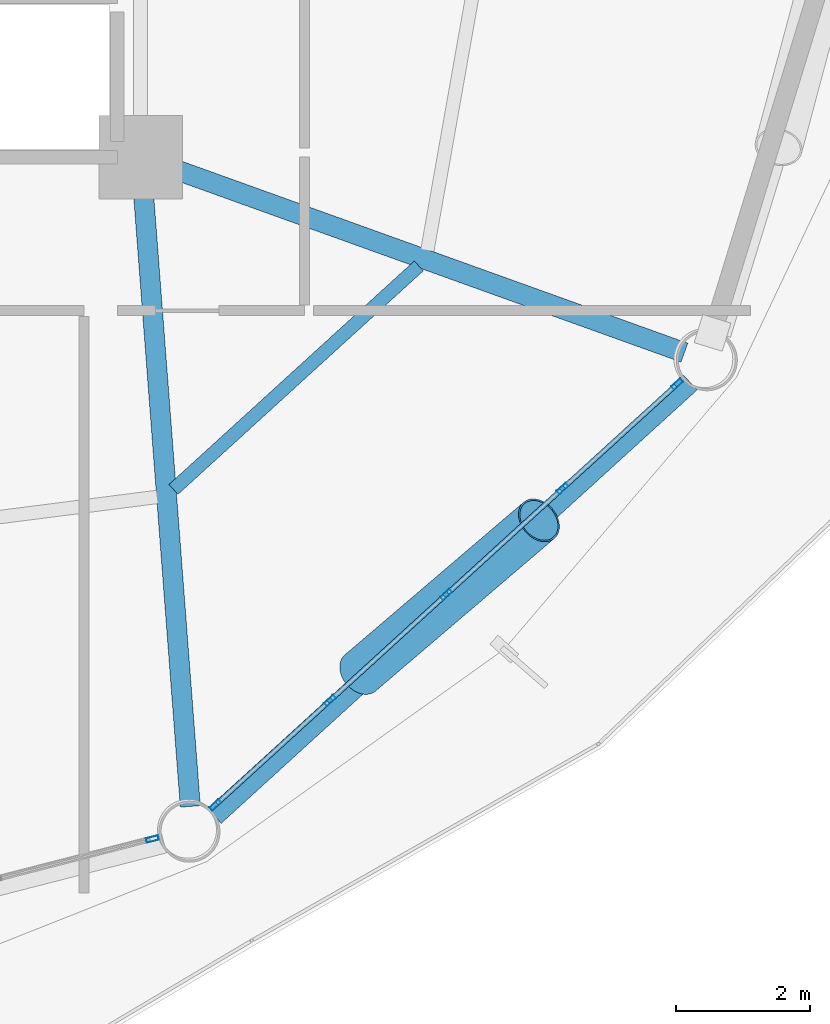
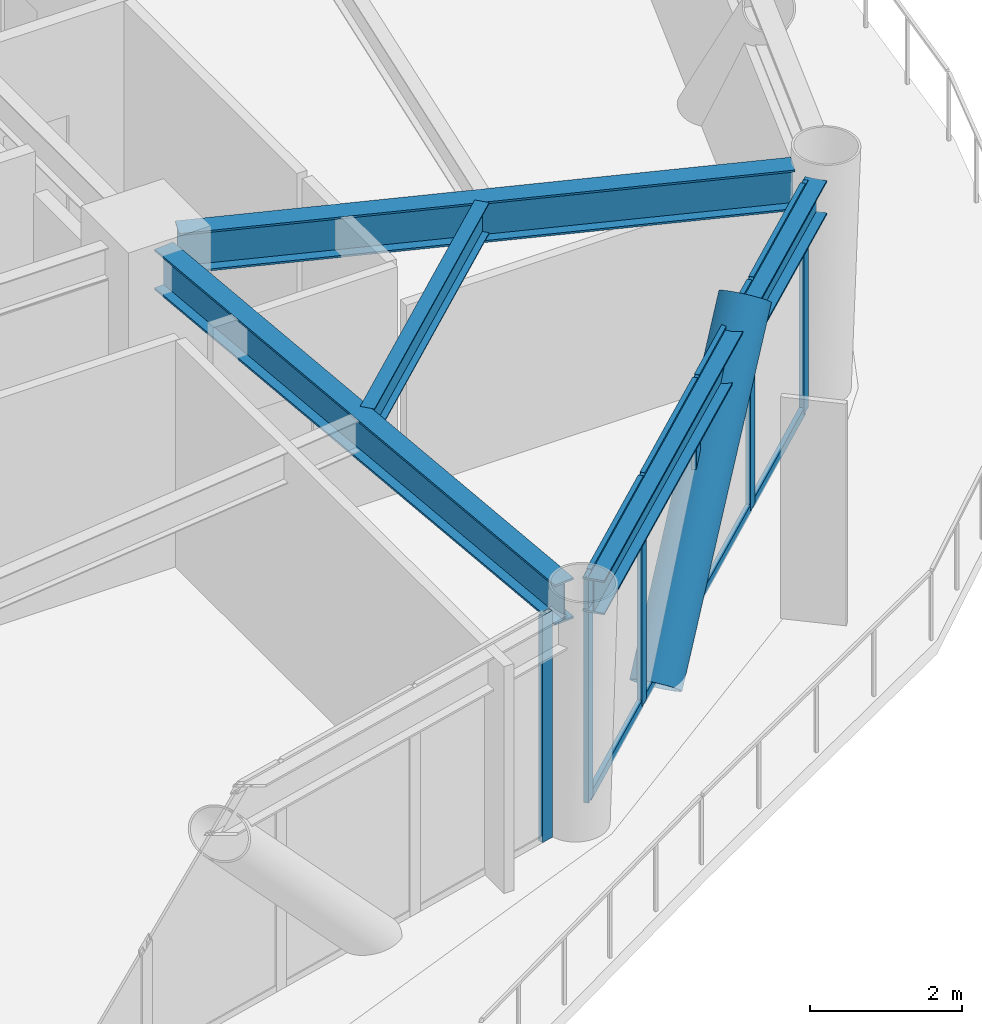
# One storey, part 12 of 25: 15 members, 4 beams, 2 elements without a shape of their own.
"""IFC4 building model written with IfcOpenShell, lengths in metres."""

from ifc_helpers import new_model, si_unit, direction, frame, origin, origin_2d, place, context, subcontext, project, spatial, hollow_rectangle, hollow_circle, i_section, extrude, material, layer, layer_set, material_profile, profile_set, type_object, element, aggregate, save


model = new_model("IFC4")

# Units and contexts
model_context = context("Model", 3, precision=1e-05, world=origin(), true_north=direction((0.0, 1.0)))
body_context = subcontext(model_context, "Body", "Model", "MODEL_VIEW")
ifc_project = project(units=[si_unit("LENGTHUNIT", "METRE"), si_unit("AREAUNIT", "SQUARE_METRE"), si_unit("VOLUMEUNIT", "CUBIC_METRE"), si_unit("PLANEANGLEUNIT", "RADIAN"), si_unit("MASSUNIT", "GRAM", prefix="KILO")], contexts=[model_context])

# Site, building, storey
site_placement = place(None, origin())
site = spatial("IfcSite", under=ifc_project, at=site_placement, CompositionType="ELEMENT")
building_placement = place(site_placement, origin())
building = spatial("IfcBuilding", under=site, at=building_placement, Name="Varnakorn Sky Granary", CompositionType="ELEMENT")
storey_placement = place(building_placement, frame((0.0, 0.0, 54.89990234375)))
storey = spatial("IfcBuildingStorey", under=building, at=storey_placement, Name="L13", CompositionType="ELEMENT", Elevation=54.89990234375)

# Beams
ifc_material_1 = material(Name="Steel S355JR", Category="steel")
ifc_material_profile_1 = material_profile(ifc_material_1, i_section(OverallWidth=0.300048828125, OverallDepth=0.64990234375, WebThickness=0.01611328125, FlangeThickness=0.031005859375, at=origin_2d()), Name="HE 650 B")
ifc_profile_set_1 = profile_set([ifc_material_profile_1], Name="Steel S355JR")
beam_type_1 = type_object("IfcBeamType", Name="BM-RAD-Z1", PredefinedType="BEAM", material=ifc_profile_set_1)
beam_1_placement = place(storey_placement, frame((8.382080078125, -7.018798828125, 3.315185546875), z_axis=(0.076176199168, -0.997094372003, 0.0), x_axis=(0.997094372003, 0.076176199168, 0.0)))
element("IfcBeam", 1, at=beam_1_placement, inside=storey, type_object=beam_type_1, Name="Radial Floor Girder RG11 L13", PredefinedType="BEAM", context=body_context, shape_type="SweptSolid", body=[
    extrude(i_section(OverallWidth=0.300048828125, OverallDepth=0.64990234375, WebThickness=0.01611328125, FlangeThickness=0.031005859375, at=origin_2d()), origin(), (0.0, 0.0, 1.0), 9.32958984375),
])
beam_2_placement = place(storey_placement, frame((8.7451171875, -6.7421875, 3.315185546875), z_axis=(0.940981155726, -0.338458955515, 0.0), x_axis=(0.338458955515, 0.940981155726, 0.0)))
element("IfcBeam", 2, at=beam_2_placement, inside=storey, type_object=beam_type_1, Name="Radial Floor Girder RG12 L13", PredefinedType="BEAM", context=body_context, shape_type="SweptSolid", body=[
    extrude(i_section(OverallWidth=0.300048828125, OverallDepth=0.64990234375, WebThickness=0.01611328125, FlangeThickness=0.031005859375, at=origin_2d()), origin(), (0.0, 0.0, 1.0), 8.23046875),
])
ifc_material_profile_2 = material_profile(ifc_material_1, i_section(OverallWidth=0.199951171875, OverallDepth=0.5, WebThickness=0.01025390625, FlangeThickness=0.01611328125, at=origin_2d()), Name="IPE 500")
ifc_profile_set_2 = profile_set([ifc_material_profile_2], Name="Steel S355JR")
beam_type_2 = type_object("IfcBeamType", Name="BM-SEC-Z1", PredefinedType="BEAM", material=ifc_profile_set_2)
beam_3_placement = place(storey_placement, frame((8.8408203125, -11.57568359375, 3.39013671875), z_axis=(0.739212644164, 0.673472097943, 0.0), x_axis=(-0.673472097943, 0.739212644164, 0.0)))
element("IfcBeam", 3, at=beam_3_placement, inside=storey, type_object=beam_type_2, Name="Secondary Floor Chord Beam MSB11 L13", PredefinedType="BEAM", context=body_context, shape_type="SweptSolid", body=[
    extrude(i_section(OverallWidth=0.199951171875, OverallDepth=0.5, WebThickness=0.01025390625, FlangeThickness=0.01611328125, at=origin_2d()), origin(), (0.0, 0.0, 1.0), 4.968994140625),
])
ifc_material_profile_3 = material_profile(ifc_material_1, i_section(OverallWidth=0.300048828125, OverallDepth=0.550048828125, WebThickness=0.014892578125, FlangeThickness=0.029052734375, at=origin_2d()), Name="HE 550 B")
ifc_profile_set_3 = profile_set([ifc_material_profile_3], Name="Steel S355JR")
beam_type_3 = type_object("IfcBeamType", Name="BM-SPD-Z1", PredefinedType="SPANDREL", material=ifc_profile_set_3)
beam_4_placement = place(storey_placement, frame((9.453369140625, -16.46435546875, 3.364990234375), z_axis=(0.739343732642, 0.673328185213, 0.0), x_axis=(-0.673328185213, 0.739343732642, 0.0)))
element("IfcBeam", 4, at=beam_4_placement, inside=storey, type_object=beam_type_3, Name="Perimeter Spandrel Ring Beam RB11 L13", PredefinedType="SPANDREL", context=body_context, shape_type="SweptSolid", body=[
    extrude(i_section(OverallWidth=0.300048828125, OverallDepth=0.550048828125, WebThickness=0.014892578125, FlangeThickness=0.029052734375, at=origin_2d()), origin(), (0.0, 0.0, 1.0), 9.6376953125),
])

# Curtain wall, member
ifc_material_2 = material(Name="Anodised Bronze Aluminium Alloy 6063-T6", Category="aluminium")
ifc_layer = layer(ifc_material_2, 0.18994140625, Name="Anodised Bronze Aluminium Alloy 6063-T6")
ifc_layer_set = layer_set([ifc_layer], Name="Anodised Bronze Aluminium Alloy 6063-T6")
curtain_wall_type = type_object("IfcCurtainWallType", Name="CW-FRM-1", PredefinedType="USERDEFINED", material=ifc_layer_set)
curtain_wall_1_placement = place(storey_placement, origin())
curtain_wall_1 = element("IfcCurtainWall", 5, at=curtain_wall_1_placement, inside=storey, type_object=curtain_wall_type, Name="Unitised Curtain Wall CW3 CW-L13-B10", ObjectType="CURTAIN WALL", PredefinedType="USERDEFINED")
ifc_material_profile_4 = material_profile(ifc_material_2, hollow_rectangle(XDim=0.070068359375, YDim=0.18505859375, WallThickness=0.00390625, at=origin_2d()), Name="ALU MULL 70x185")
ifc_profile_set_4 = profile_set([ifc_material_profile_4], Name="Anodised Bronze Aluminium Alloy 6063-T6")
member_type_1 = type_object("IfcMemberType", Name="CW-FRM-1-MULL", PredefinedType="MULLION", material=ifc_profile_set_4)
member_1_placement = place(storey_placement, frame((8.52490234375, -16.81005859375, 0.0), z_axis=(0.0, 0.0, 1.0), x_axis=(0.248955770225, -0.96851485506, 0.0)))
member_1 = element("IfcMember", 6, at=member_1_placement, type_object=member_type_1, Name="CW3 mullion 1", PredefinedType="MULLION", context=body_context, shape_type="SweptSolid", body=[
    extrude(hollow_rectangle(XDim=0.070068359375, YDim=0.18505859375, WallThickness=0.00390625, at=origin_2d()), origin(), (0.0, 0.0, 1.0), 3.64013671875),
])
aggregate(curtain_wall_1, [member_1])

# Curtain wall, members
curtain_wall_2_placement = place(storey_placement, origin())
curtain_wall_2 = element("IfcCurtainWall", 7, at=curtain_wall_2_placement, inside=storey, type_object=curtain_wall_type, Name="Unitised Curtain Wall CW3 CW-L13-B11", ObjectType="CURTAIN WALL", PredefinedType="USERDEFINED")
member_2_placement = place(storey_placement, frame((16.381591796875, -9.997802734375, 0.0), z_axis=(0.0, 0.0, 1.0), x_axis=(0.673686552194, -0.739017205072, 0.0)))
member_2 = element("IfcMember", 8, at=member_2_placement, type_object=member_type_1, Name="CW3 mullion 1", PredefinedType="MULLION", context=body_context, shape_type="SweptSolid", body=[
    extrude(hollow_rectangle(XDim=0.070068359375, YDim=0.18505859375, WallThickness=0.00390625, at=origin_2d()), origin(), (0.0, 0.0, 1.0), 3.64013671875),
])
member_3_placement = place(storey_placement, frame((14.666015625, -11.561767578125, 0.0), z_axis=(0.0, 0.0, 1.0), x_axis=(0.673686552194, -0.739017205072, 0.0)))
member_3 = element("IfcMember", 9, at=member_3_placement, type_object=member_type_1, Name="CW3 mullion 2", PredefinedType="MULLION", context=body_context, shape_type="SweptSolid", body=[
    extrude(hollow_rectangle(XDim=0.070068359375, YDim=0.18505859375, WallThickness=0.00390625, at=origin_2d()), origin(), (0.0, 0.0, 1.0), 3.64013671875),
])
member_4_placement = place(storey_placement, frame((12.924560546875, -13.1494140625, 0.0), z_axis=(0.0, 0.0, 1.0), x_axis=(0.673686552194, -0.739017205072, 0.0)))
member_4 = element("IfcMember", 10, at=member_4_placement, type_object=member_type_1, Name="CW3 mullion 3", PredefinedType="MULLION", context=body_context, shape_type="SweptSolid", body=[
    extrude(hollow_rectangle(XDim=0.070068359375, YDim=0.18505859375, WallThickness=0.00390625, at=origin_2d()), origin(), (0.0, 0.0, 1.0), 3.64013671875),
])
member_5_placement = place(storey_placement, frame((11.18310546875, -14.73681640625, 0.0), z_axis=(0.0, 0.0, 1.0), x_axis=(0.673686552194, -0.739017205072, 0.0)))
member_5 = element("IfcMember", 11, at=member_5_placement, type_object=member_type_1, Name="CW3 mullion 4", PredefinedType="MULLION", context=body_context, shape_type="SweptSolid", body=[
    extrude(hollow_rectangle(XDim=0.070068359375, YDim=0.18505859375, WallThickness=0.00390625, at=origin_2d()), origin(), (0.0, 0.0, 1.0), 3.64013671875),
])
member_6_placement = place(storey_placement, frame((9.467529296875, -16.30078125, 0.0), z_axis=(0.0, 0.0, 1.0), x_axis=(0.673686552194, -0.739017205072, 0.0)))
member_6 = element("IfcMember", 12, at=member_6_placement, type_object=member_type_1, Name="CW3 mullion 5", PredefinedType="MULLION", context=body_context, shape_type="SweptSolid", body=[
    extrude(hollow_rectangle(XDim=0.070068359375, YDim=0.18505859375, WallThickness=0.00390625, at=origin_2d()), origin(), (0.0, 0.0, 1.0), 3.64013671875),
])
ifc_material_profile_5 = material_profile(ifc_material_2, hollow_rectangle(XDim=0.070068359375, YDim=0.139892578125, WallThickness=0.00341796875, at=origin_2d()), Name="ALU TRAN 70x140")
ifc_profile_set_5 = profile_set([ifc_material_profile_5], Name="Anodised Bronze Aluminium Alloy 6063-T6")
member_type_2 = type_object("IfcMemberType", Name="CW-FRM-1-TRAN", PredefinedType="USERDEFINED", material=ifc_profile_set_5)
member_7_placement = place(storey_placement, frame((16.355712890625, -10.021484375, 0.03515625), z_axis=(-0.738992363836, -0.673713801396, 0.0), x_axis=(0.673713801396, -0.738992363836, 0.0)))
member_7 = element("IfcMember", 13, at=member_7_placement, type_object=member_type_2, Name="CW3 transom 1.1", ObjectType="TRANSOM", PredefinedType="USERDEFINED", context=body_context, shape_type="SweptSolid", body=[
    extrude(hollow_rectangle(XDim=0.070068359375, YDim=0.139892578125, WallThickness=0.00341796875, at=origin_2d()), origin(), (0.0, 0.0, 1.0), 2.25146484375),
])
member_8_placement = place(storey_placement, frame((16.355712890625, -10.021484375, 3.60498046875), z_axis=(-0.738992363836, -0.673713801396, 0.0), x_axis=(0.673713801396, -0.738992363836, 0.0)))
member_8 = element("IfcMember", 14, at=member_8_placement, type_object=member_type_2, Name="CW3 transom 1.2", ObjectType="TRANSOM", PredefinedType="USERDEFINED", context=body_context, shape_type="SweptSolid", body=[
    extrude(hollow_rectangle(XDim=0.070068359375, YDim=0.139892578125, WallThickness=0.00341796875, at=origin_2d()), origin(), (0.0, 0.0, 1.0), 2.25146484375),
])
member_9_placement = place(storey_placement, frame((14.64013671875, -11.58544921875, 0.03515625), z_axis=(-0.739026202882, -0.673676681691, 0.0), x_axis=(0.673676681691, -0.739026202882, 0.0)))
member_9 = element("IfcMember", 15, at=member_9_placement, type_object=member_type_2, Name="CW3 transom 2.1", ObjectType="TRANSOM", PredefinedType="USERDEFINED", context=body_context, shape_type="SweptSolid", body=[
    extrude(hollow_rectangle(XDim=0.070068359375, YDim=0.139892578125, WallThickness=0.00341796875, at=origin_2d()), origin(), (0.0, 0.0, 1.0), 2.286376953125),
])
member_10_placement = place(storey_placement, frame((14.64013671875, -11.58544921875, 3.60498046875), z_axis=(-0.739026202882, -0.673676681691, 0.0), x_axis=(0.673676681691, -0.739026202882, 0.0)))
member_10 = element("IfcMember", 16, at=member_10_placement, type_object=member_type_2, Name="CW3 transom 2.2", ObjectType="TRANSOM", PredefinedType="USERDEFINED", context=body_context, shape_type="SweptSolid", body=[
    extrude(hollow_rectangle(XDim=0.070068359375, YDim=0.139892578125, WallThickness=0.00341796875, at=origin_2d()), origin(), (0.0, 0.0, 1.0), 2.286376953125),
])
member_11_placement = place(storey_placement, frame((12.898681640625, -13.1728515625, 0.03515625), z_axis=(-0.738973042279, -0.673734994478, 0.0), x_axis=(0.673734994478, -0.738973042279, 0.0)))
member_11 = element("IfcMember", 17, at=member_11_placement, type_object=member_type_2, Name="CW3 transom 3.1", ObjectType="TRANSOM", PredefinedType="USERDEFINED", context=body_context, shape_type="SweptSolid", body=[
    extrude(hollow_rectangle(XDim=0.070068359375, YDim=0.139892578125, WallThickness=0.00341796875, at=origin_2d()), origin(), (0.0, 0.0, 1.0), 2.28662109375),
])
member_12_placement = place(storey_placement, frame((12.898681640625, -13.1728515625, 3.60498046875), z_axis=(-0.738973042279, -0.673734994478, 0.0), x_axis=(0.673734994478, -0.738973042279, 0.0)))
member_12 = element("IfcMember", 18, at=member_12_placement, type_object=member_type_2, Name="CW3 transom 3.2", ObjectType="TRANSOM", PredefinedType="USERDEFINED", context=body_context, shape_type="SweptSolid", body=[
    extrude(hollow_rectangle(XDim=0.070068359375, YDim=0.139892578125, WallThickness=0.00341796875, at=origin_2d()), origin(), (0.0, 0.0, 1.0), 2.28662109375),
])
member_13_placement = place(storey_placement, frame((11.1572265625, -14.760498046875, 0.03515625), z_axis=(-0.738992363836, -0.673713801396, 0.0), x_axis=(0.673713801396, -0.738992363836, 0.0)))
member_13 = element("IfcMember", 19, at=member_13_placement, type_object=member_type_2, Name="CW3 transom 4.1", ObjectType="TRANSOM", PredefinedType="USERDEFINED", context=body_context, shape_type="SweptSolid", body=[
    extrude(hollow_rectangle(XDim=0.070068359375, YDim=0.139892578125, WallThickness=0.00341796875, at=origin_2d()), origin(), (0.0, 0.0, 1.0), 2.25146484375),
])
member_14_placement = place(storey_placement, frame((11.1572265625, -14.760498046875, 3.60498046875), z_axis=(-0.738992363836, -0.673713801396, 0.0), x_axis=(0.673713801396, -0.738992363836, 0.0)))
member_14 = element("IfcMember", 20, at=member_14_placement, type_object=member_type_2, Name="CW3 transom 4.2", ObjectType="TRANSOM", PredefinedType="USERDEFINED", context=body_context, shape_type="SweptSolid", body=[
    extrude(hollow_rectangle(XDim=0.070068359375, YDim=0.139892578125, WallThickness=0.00341796875, at=origin_2d()), origin(), (0.0, 0.0, 1.0), 2.25146484375),
])
aggregate(curtain_wall_2, [member_2, member_3, member_4, member_5, member_6, member_7, member_8, member_9, member_10, member_11, member_12, member_13, member_14])

# Member
ifc_material_3 = material(Name="Steel S460M", Category="steel")
ifc_material_profile_6 = material_profile(ifc_material_3, hollow_circle(Radius=0.35546875, WallThickness=0.02490234375, at=origin_2d()), Name="CHS 711x25")
ifc_profile_set_6 = profile_set([ifc_material_profile_6], Name="Steel S460M")
member_type_3 = type_object("IfcMemberType", Name="MB-DIAG-T0", PredefinedType="BRACE", material=ifc_profile_set_6)
member_15_placement = place(storey_placement, frame((11.63623046875, -14.32373046875, -0.1298828125), z_axis=(0.50805962244, 0.433718477176, 0.744153010208), x_axis=(-0.649270210956, 0.760557817109, 0.0)))
element("IfcMember", 21, at=member_15_placement, inside=storey, type_object=member_type_3, Name="Perimeter CHS Diagrid Brace DG11 L13", PredefinedType="BRACE", context=body_context, shape_type="SweptSolid", body=[
    extrude(hollow_circle(Radius=0.35546875, WallThickness=0.02490234375, at=origin_2d()), origin(), (0.0, 0.0, 1.0), 5.267578125),
])

save(model, "model.ifc")
